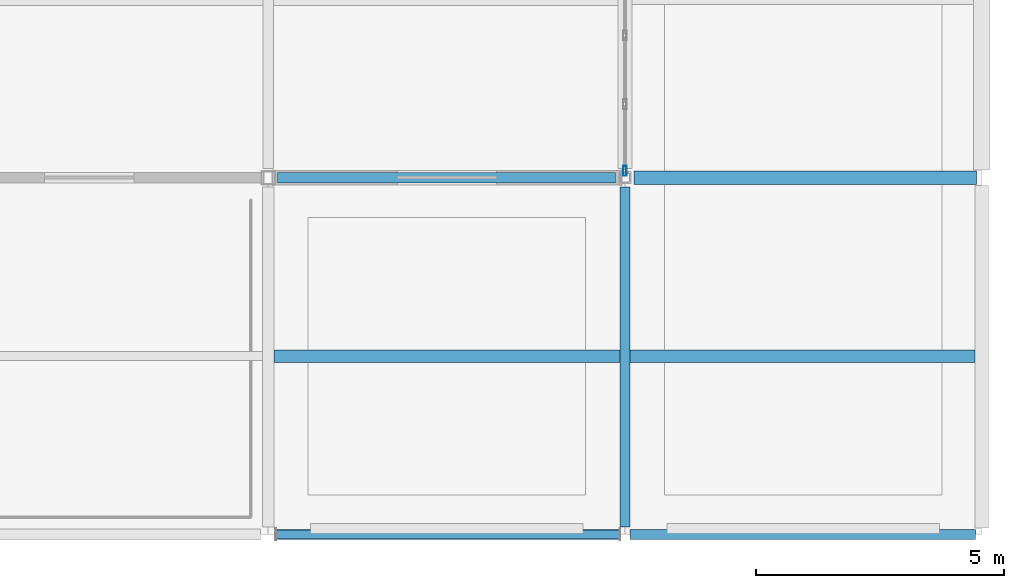
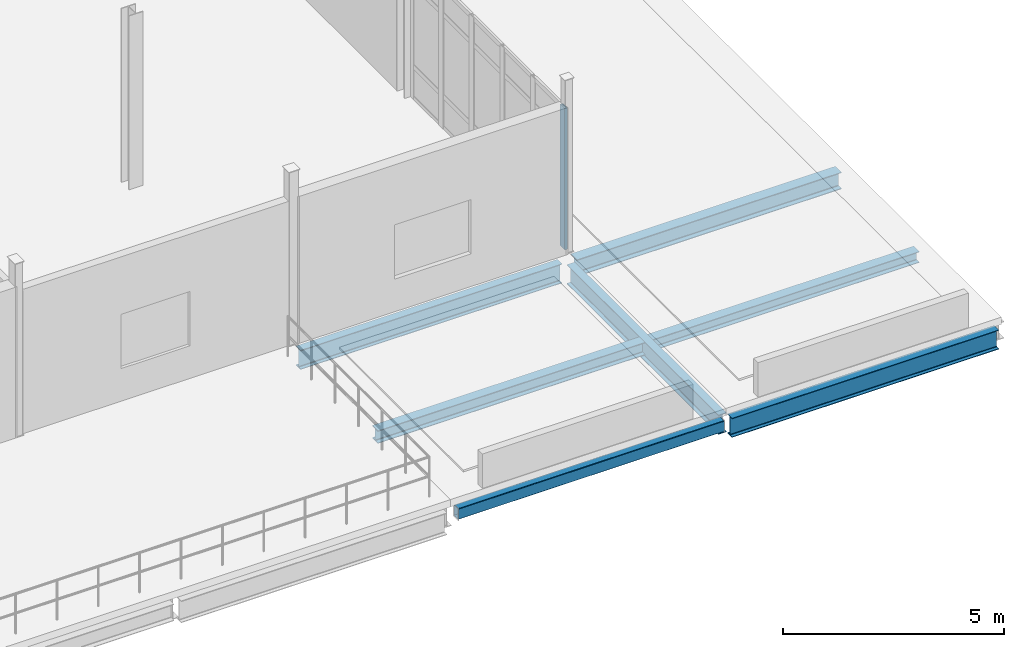
# One storey, part 101 of 186: 7 beams, 1 member, 1 element without a shape of its own.
"""IFC4 building model written with IfcOpenShell, lengths in metres."""

from ifc_helpers import new_model, si_unit, direction, frame, origin, origin_2d, place, context, subcontext, project, spatial, hollow_rectangle, i_section, extrude, material, layer, layer_set, material_profile, profile_set, type_object, element, aggregate, save


model = new_model("IFC4")

# Units and contexts
model_context = context("Model", 3, precision=1e-05, world=origin(), true_north=direction((0.0, 1.0)))
body_context = subcontext(model_context, "Body", "Model", "MODEL_VIEW")
ifc_project = project(units=[si_unit("LENGTHUNIT", "METRE"), si_unit("AREAUNIT", "SQUARE_METRE"), si_unit("VOLUMEUNIT", "CUBIC_METRE"), si_unit("PLANEANGLEUNIT", "RADIAN"), si_unit("MASSUNIT", "GRAM", prefix="KILO")], contexts=[model_context])

# Site, building, storey
site_placement = place(None, origin())
site = spatial("IfcSite", under=ifc_project, at=site_placement, CompositionType="ELEMENT")
building_placement = place(site_placement, origin())
building = spatial("IfcBuilding", under=site, at=building_placement, Name="Calvrana Isthmian Art Gallery", CompositionType="ELEMENT")
storey_placement = place(building_placement, frame((0.0, 0.0, 5.39990234375)))
storey = spatial("IfcBuildingStorey", under=building, at=storey_placement, Name="L01", CompositionType="ELEMENT", Elevation=5.39990234375)

# Beams
ifc_material_1 = material(Name="Steel ASTM A992 Gr 50", Category="steel")
ifc_material_profile_1 = material_profile(ifc_material_1, i_section(OverallWidth=0.279052734375, OverallDepth=0.4619140625, WebThickness=0.0107421875, FlangeThickness=0.017333984375, FilletRadius=0.02001953125, at=origin_2d()), Name="W18X76")
ifc_profile_set_1 = profile_set([ifc_material_profile_1], Name="Steel ASTM A992 Gr 50")
beam_type_1 = type_object("IfcBeamType", Name="BM-G-W18X76", PredefinedType="BEAM", material=ifc_profile_set_1)
beam_1_placement = place(storey_placement, frame((156.1865234375, 7.199951171875, -0.475830078125), z_axis=(1.0, 0.0, 0.0), x_axis=(0.0, 1.0, 0.0)))
element("IfcBeam", 1, at=beam_1_placement, inside=storey, type_object=beam_type_1, Name="Girder X L01 21-22/B", PredefinedType="BEAM", context=body_context, shape_type="SweptSolid", body=[
    extrude(i_section(OverallWidth=0.279052734375, OverallDepth=0.4619140625, WebThickness=0.0107421875, FlangeThickness=0.017333984375, FilletRadius=0.02001953125, at=origin_2d()), origin(), (0.0, 0.0, 1.0), 6.911865234375),
])
ifc_material_profile_2 = material_profile(ifc_material_1, i_section(OverallWidth=0.208984375, OverallDepth=0.532958984375, WebThickness=0.01025390625, FlangeThickness=0.015625, FilletRadius=0.02099609375, at=origin_2d()), Name="W21X62")
ifc_profile_set_2 = profile_set([ifc_material_profile_2], Name="Steel ASTM A992 Gr 50")
beam_type_2 = type_object("IfcBeamType", Name="BM-G-W21X62", PredefinedType="BEAM", material=ifc_profile_set_2)
beam_2_placement = place(storey_placement, frame((156.1015625, 0.0, -0.511474609375), z_axis=(1.0, 0.0, 0.0), x_axis=(0.0, 1.0, 0.0)))
element("IfcBeam", 2, at=beam_2_placement, inside=storey, type_object=beam_type_2, Name="Girder X L01 21-22/A", PredefinedType="BEAM", context=body_context, shape_type="SweptSolid", body=[
    extrude(i_section(OverallWidth=0.208984375, OverallDepth=0.532958984375, WebThickness=0.01025390625, FlangeThickness=0.015625, FilletRadius=0.02099609375, at=origin_2d()), origin(), (0.0, 0.0, 1.0), 6.971435546875),
])
beam_3_placement = place(storey_placement, frame((148.986572265625, 7.199951171875, -0.511474609375), z_axis=(1.0, 0.0, 0.0), x_axis=(0.0, 1.0, 0.0)))
element("IfcBeam", 3, at=beam_3_placement, inside=storey, type_object=beam_type_2, Name="Girder X L01 20-21/B", PredefinedType="BEAM", context=body_context, shape_type="SweptSolid", body=[
    extrude(i_section(OverallWidth=0.208984375, OverallDepth=0.532958984375, WebThickness=0.01025390625, FlangeThickness=0.015625, FilletRadius=0.02099609375, at=origin_2d()), origin(), (0.0, 0.0, 1.0), 6.826904296875),
])
beam_4_placement = place(storey_placement, frame((156.0, 0.15234375, -0.511474609375), z_axis=(0.0, 1.0, 0.0), x_axis=(-1.0, 0.0, 0.0)))
element("IfcBeam", 4, at=beam_4_placement, inside=storey, type_object=beam_type_2, Name="Girder Y L01 21/A-B", PredefinedType="BEAM", context=body_context, shape_type="SweptSolid", body=[
    extrude(i_section(OverallWidth=0.208984375, OverallDepth=0.532958984375, WebThickness=0.01025390625, FlangeThickness=0.015625, FilletRadius=0.02099609375, at=origin_2d()), origin(), (0.0, 0.0, 1.0), 6.86376953125),
])
ifc_material_profile_3 = material_profile(ifc_material_1, i_section(OverallWidth=0.25390625, OverallDepth=0.306884765625, WebThickness=0.0087890625, FlangeThickness=0.0146484375, FilletRadius=0.01611328125, at=origin_2d()), Name="W12X53")
ifc_profile_set_3 = profile_set([ifc_material_profile_3], Name="Steel ASTM A992 Gr 50")
beam_type_3 = type_object("IfcBeamType", Name="BM-J-W12X53", PredefinedType="JOIST", material=ifc_profile_set_3)
beam_5_placement = place(storey_placement, frame((156.1044921875, 3.60009765625, -0.3984375), z_axis=(1.0, 0.0, 0.0), x_axis=(0.0, 1.0, 0.0)))
element("IfcBeam", 5, at=beam_5_placement, inside=storey, type_object=beam_type_3, Name="Composite joist L01 bay 20-00", PredefinedType="JOIST", context=body_context, shape_type="SweptSolid", body=[
    extrude(i_section(OverallWidth=0.25390625, OverallDepth=0.306884765625, WebThickness=0.0087890625, FlangeThickness=0.0146484375, FilletRadius=0.01611328125, at=origin_2d()), origin(), (0.0, 0.0, 1.0), 6.9560546875),
])
ifc_material_profile_4 = material_profile(ifc_material_1, i_section(OverallWidth=0.25390625, OverallDepth=0.35302734375, WebThickness=0.009521484375, FlangeThickness=0.016357421875, FilletRadius=0.01806640625, at=origin_2d()), Name="W14X61")
ifc_profile_set_4 = profile_set([ifc_material_profile_4], Name="Steel ASTM A992 Gr 50")
beam_type_4 = type_object("IfcBeamType", Name="BM-J-W14X61", PredefinedType="JOIST", material=ifc_profile_set_4)
beam_6_placement = place(storey_placement, frame((148.9140625, 3.60009765625, -0.42138671875), z_axis=(1.0, 0.0, 0.0), x_axis=(0.0, 1.0, 0.0)))
element("IfcBeam", 6, at=beam_6_placement, inside=storey, type_object=beam_type_4, Name="Composite joist L01 bay 19-00", PredefinedType="JOIST", context=body_context, shape_type="SweptSolid", body=[
    extrude(i_section(OverallWidth=0.25390625, OverallDepth=0.35302734375, WebThickness=0.009521484375, FlangeThickness=0.016357421875, FilletRadius=0.01806640625, at=origin_2d()), origin(), (0.0, 0.0, 1.0), 6.9814453125),
])
ifc_material_2 = material(Name="Steel ASTM A500 Gr C", Category="steel")
ifc_material_profile_5 = material_profile(ifc_material_2, hollow_rectangle(XDim=0.203125, YDim=0.3046875, WallThickness=0.0126953125, OuterFilletRadius=0.02490234375, at=origin_2d()), Name="HSS305X203X12.7")
ifc_profile_set_5 = profile_set([ifc_material_profile_5], Name="Steel ASTM A500 Gr C")
beam_type_5 = type_object("IfcBeamType", Name="BM-SP-HSS305", PredefinedType="SPANDREL", material=ifc_profile_set_5)
beam_7_placement = place(storey_placement, frame((148.952392578125, 0.0, -0.397216796875), z_axis=(1.0, 0.0, 0.0), x_axis=(0.0, 1.0, 0.0)))
element("IfcBeam", 7, at=beam_7_placement, inside=storey, type_object=beam_type_5, Name="Girder X L01 20-21/A", PredefinedType="SPANDREL", context=body_context, shape_type="SweptSolid", body=[
    extrude(hollow_rectangle(XDim=0.203125, YDim=0.3046875, WallThickness=0.0126953125, OuterFilletRadius=0.02490234375, at=origin_2d()), origin(), (0.0, 0.0, 1.0), 6.946044921875),
])

# Curtain wall, member
ifc_material_3 = material(Name="Anodized bronze aluminium 6063-T6", Category="aluminium")
ifc_layer = layer(ifc_material_3, 0.179931640625, Name="Anodized bronze aluminium 6063-T6")
ifc_layer_set = layer_set([ifc_layer], Name="Anodized bronze aluminium 6063-T6")
curtain_wall_type = type_object("IfcCurtainWallType", Name="CW-UNIT-069X39", PredefinedType="USERDEFINED", material=ifc_layer_set)
curtain_wall_placement = place(storey_placement, origin())
curtain_wall = element("IfcCurtainWall", 8, at=curtain_wall_placement, inside=storey, type_object=curtain_wall_type, Name="Curtain wall CW-141", ObjectType="UNITISED CURTAIN WALL", PredefinedType="USERDEFINED")
ifc_material_profile_6 = material_profile(ifc_material_3, hollow_rectangle(XDim=0.070068359375, YDim=0.199951171875, WallThickness=0.0048828125, at=origin_2d()), Name="CWM70X200")
ifc_profile_set_6 = profile_set([ifc_material_profile_6], Name="Anodized bronze aluminium 6063-T6")
member_type = type_object("IfcMemberType", Name="CWM-CWM70X200", PredefinedType="MULLION", material=ifc_profile_set_6)
member_placement = place(storey_placement, frame((156.0, 7.336669921875, 0.0), z_axis=(0.0, 0.0, 1.0), x_axis=(1.0, 0.0, 0.0)))
member = element("IfcMember", 9, at=member_placement, type_object=member_type, Name="CW-141 mullion 6", PredefinedType="MULLION", context=body_context, shape_type="SweptSolid", body=[
    extrude(hollow_rectangle(XDim=0.070068359375, YDim=0.199951171875, WallThickness=0.0048828125, at=origin_2d()), origin(), (0.0, 0.0, 1.0), 3.908203125),
])
aggregate(curtain_wall, [member])

save(model, "model.ifc")
